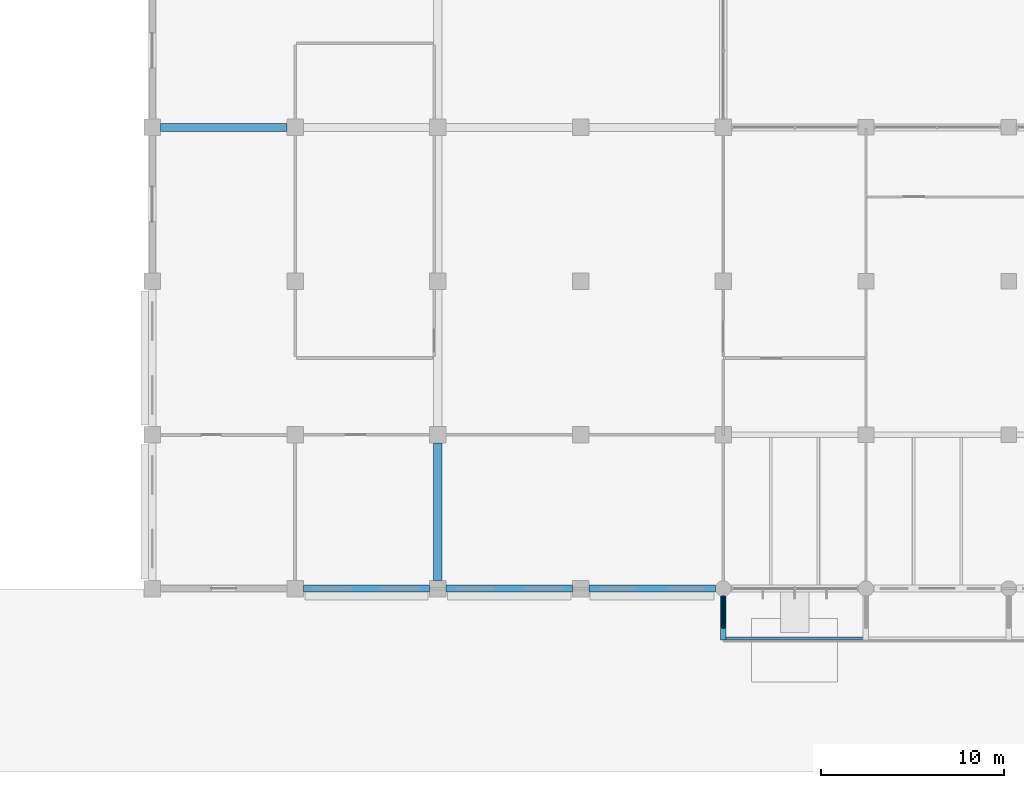
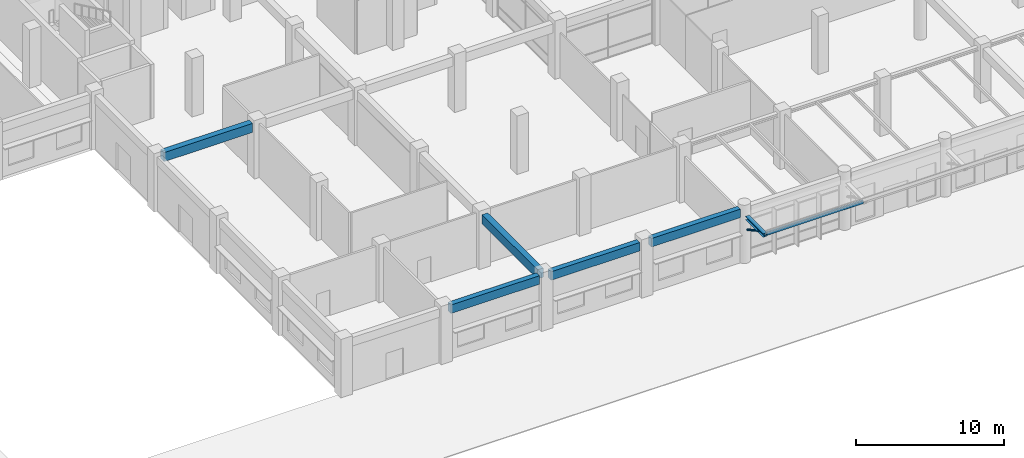
# One storey, part 2 of 74: 7 beams, 1 member.
"""IFC4 building model written with IfcOpenShell, lengths in metres."""

from ifc_helpers import new_model, si_unit, direction, frame, origin, origin_2d, place, context, subcontext, project, spatial, rectangle, hollow_rectangle, hollow_circle, i_section, extrude, material, material_profile, profile_set, type_object, element, save


model = new_model("IFC4")

# Units and contexts
model_context = context("Model", 3, precision=1e-05, world=origin(), true_north=direction((0.0, 1.0)))
body_context = subcontext(model_context, "Body", "Model", "MODEL_VIEW")
ifc_project = project(units=[si_unit("LENGTHUNIT", "METRE"), si_unit("AREAUNIT", "SQUARE_METRE"), si_unit("VOLUMEUNIT", "CUBIC_METRE"), si_unit("PLANEANGLEUNIT", "RADIAN"), si_unit("MASSUNIT", "GRAM", prefix="KILO"), si_unit("THERMODYNAMICTEMPERATUREUNIT", "KELVIN"), si_unit("POWERUNIT", "WATT")], contexts=[model_context])

# Site, building, storey
site_placement = place(None, origin())
site = spatial("IfcSite", under=ifc_project, at=site_placement, CompositionType="ELEMENT")
building_placement = place(site_placement, origin())
building = spatial("IfcBuilding", under=site, at=building_placement, Name="Srebrne Nadtorze General Hospital", CompositionType="ELEMENT")
storey_placement = place(building_placement, origin())
storey = spatial("IfcBuildingStorey", under=building, at=storey_placement, Name="L00", CompositionType="ELEMENT", Elevation=0.0)

# Member
ifc_material_1 = material(Name="Steel S355J2", Category="steel")
ifc_material_profile_1 = material_profile(ifc_material_1, hollow_circle(Radius=0.084228515625, WallThickness=0.00634765625, at=origin_2d()), Name="CHS-168.3x6.3")
ifc_profile_set_1 = profile_set([ifc_material_profile_1], Name="Steel S355J2")
member_type = type_object("IfcMemberType", Name="Canopy strut CHS 168.3x6.3", PredefinedType="STRUT", material=ifc_profile_set_1)
member_placement = place(storey_placement, frame((54.60009765625, -0.4150390625, 2.75), z_axis=(0.0, -0.876023229462, 0.482268909887), x_axis=(1.0, 0.0, 0.0)))
element("IfcMember", 1, at=member_placement, inside=storey, type_object=member_type, Name="South entrance canopy strut 1", PredefinedType="STRUT", context=body_context, shape_type="SweptSolid", body=[
    extrude(hollow_circle(Radius=0.084228515625, WallThickness=0.00634765625, at=origin_2d()), origin(), (0.0, 0.0, 1.0), 1.98046875),
])

# Beams
ifc_material_2 = material(Name="Concrete C40/50", Category="concrete")
ifc_material_profile_2 = material_profile(ifc_material_2, rectangle(XDim=0.39990234375, YDim=0.699951171875, at=origin_2d()), Name="RC-BM-400x700")
ifc_profile_set_2 = profile_set([ifc_material_profile_2], Name="Concrete C40/50")
beam_type_1 = type_object("IfcBeamType", Name="Edge beam RC 400x700", PredefinedType="BEAM", material=ifc_profile_set_2)
for number, where, z_axis, x_axis, name in (
    (2, (31.64990234375, 0.0, 4.10009765625), (1.0, 0.0, 0.0), (0.0, 1.0, 0.0), "Beam BM-L00-X-0182"),
    (3, (39.449951171875, 0.0, 4.10009765625), (1.0, 0.0, 0.0), (0.0, 1.0, 0.0), "Beam BM-L00-X-0183"),
):
    element("IfcBeam", number, at=place(storey_placement, frame(where, z_axis=z_axis, x_axis=x_axis)), inside=storey, type_object=beam_type_1, Name=name, PredefinedType="BEAM", context=body_context, shape_type="SweptSolid", body=[
        extrude(rectangle(XDim=0.39990234375, YDim=0.699951171875, at=origin_2d()), origin(), (0.0, 0.0, 1.0), 6.900146484375),
    ])
beam_1_placement = place(storey_placement, frame((47.25, 0.0, 4.10009765625), z_axis=(1.0, 0.0, 0.0), x_axis=(0.0, 1.0, 0.0)))
element("IfcBeam", 4, at=beam_1_placement, inside=storey, type_object=beam_type_1, Name="Beam BM-L00-X-0184", PredefinedType="BEAM", context=body_context, shape_type="SweptSolid", body=[
    extrude(rectangle(XDim=0.39990234375, YDim=0.699951171875, at=origin_2d()), origin(), (0.0, 0.0, 1.0), 6.925048828125),
])
ifc_material_3 = material(Name="Steel S355J2", Category="steel")
ifc_material_profile_3 = material_profile(ifc_material_3, hollow_rectangle(XDim=0.14990234375, YDim=0.25, WallThickness=0.010009765625, InnerFilletRadius=0.010009765625, OuterFilletRadius=0.014892578125, at=origin_2d()), Name="RHS-250x150x10")
ifc_profile_set_3 = profile_set([ifc_material_profile_3], Name="Steel S355J2")
beam_type_2 = type_object("IfcBeamType", Name="Hollow canopy beam RHS 250x150x10", PredefinedType="HOLLOWCORE", material=ifc_profile_set_3)
beam_2_placement = place(storey_placement, frame((54.739990234375, -2.719970703125, 3.77490234375), z_axis=(1.0, 0.0, 0.0), x_axis=(0.0, 1.0, 0.0)))
element("IfcBeam", 5, at=beam_2_placement, inside=storey, type_object=beam_type_2, Name="South entrance canopy fascia beam 1", PredefinedType="HOLLOWCORE", context=body_context, shape_type="SweptSolid", body=[
    extrude(hollow_rectangle(XDim=0.14990234375, YDim=0.25, WallThickness=0.010009765625, InnerFilletRadius=0.010009765625, OuterFilletRadius=0.014892578125, at=origin_2d()), origin(), (0.0, 0.0, 1.0), 7.52001953125),
])
ifc_material_4 = material(Name="Steel S355J2", Category="steel")
ifc_material_profile_4 = material_profile(ifc_material_4, i_section(OverallWidth=0.300048828125, OverallDepth=0.2900390625, WebThickness=0.008544921875, FlangeThickness=0.013916015625, FilletRadius=0.027099609375, at=origin_2d()), Name="HEA-300")
ifc_profile_set_4 = profile_set([ifc_material_profile_4], Name="Steel S355J2")
beam_type_3 = type_object("IfcBeamType", Name="Primary beam HEA 300", PredefinedType="BEAM", material=ifc_profile_set_4)
beam_3_placement = place(storey_placement, frame((54.60009765625, -0.4150390625, 3.7548828125), z_axis=(0.0, -1.0, 0.0), x_axis=(1.0, 0.0, 0.0)))
element("IfcBeam", 6, at=beam_3_placement, inside=storey, type_object=beam_type_3, Name="South entrance canopy girder 1", PredefinedType="BEAM", context=body_context, shape_type="SweptSolid", body=[
    extrude(i_section(OverallWidth=0.300048828125, OverallDepth=0.2900390625, WebThickness=0.008544921875, FlangeThickness=0.013916015625, FilletRadius=0.027099609375, at=origin_2d()), origin(), (0.0, 0.0, 1.0), 2.385009765625),
])
ifc_material_5 = material(Name="Concrete C40/50", Category="concrete")
ifc_material_profile_5 = material_profile(ifc_material_5, rectangle(XDim=0.449951171875, YDim=0.75, at=origin_2d()), Name="RC-BM-450x750")
ifc_profile_set_5 = profile_set([ifc_material_profile_5], Name="Concrete C40/50")
beam_type_4 = type_object("IfcBeamType", Name="Primary beam RC 450x750", PredefinedType="BEAM", material=ifc_profile_set_5)
beam_4_placement = place(storey_placement, frame((23.85009765625, 25.199951171875, 4.074951171875), z_axis=(1.0, 0.0, 0.0), x_axis=(0.0, 1.0, 0.0)))
element("IfcBeam", 7, at=beam_4_placement, inside=storey, type_object=beam_type_4, Name="Beam BM-L00-X-0199", PredefinedType="BEAM", context=body_context, shape_type="SweptSolid", body=[
    extrude(rectangle(XDim=0.449951171875, YDim=0.75, at=origin_2d()), origin(), (0.0, 0.0, 1.0), 6.89990234375),
])
beam_5_placement = place(storey_placement, frame((39.0, 0.449951171875, 4.074951171875), z_axis=(0.0, 1.0, 0.0), x_axis=(-1.0, 0.0, 0.0)))
element("IfcBeam", 8, at=beam_5_placement, inside=storey, type_object=beam_type_4, Name="Beam BM-L00-Y-0294", PredefinedType="BEAM", context=body_context, shape_type="SweptSolid", body=[
    extrude(rectangle(XDim=0.449951171875, YDim=0.75, at=origin_2d()), origin(), (0.0, 0.0, 1.0), 7.5),
])

save(model, "model.ifc")
